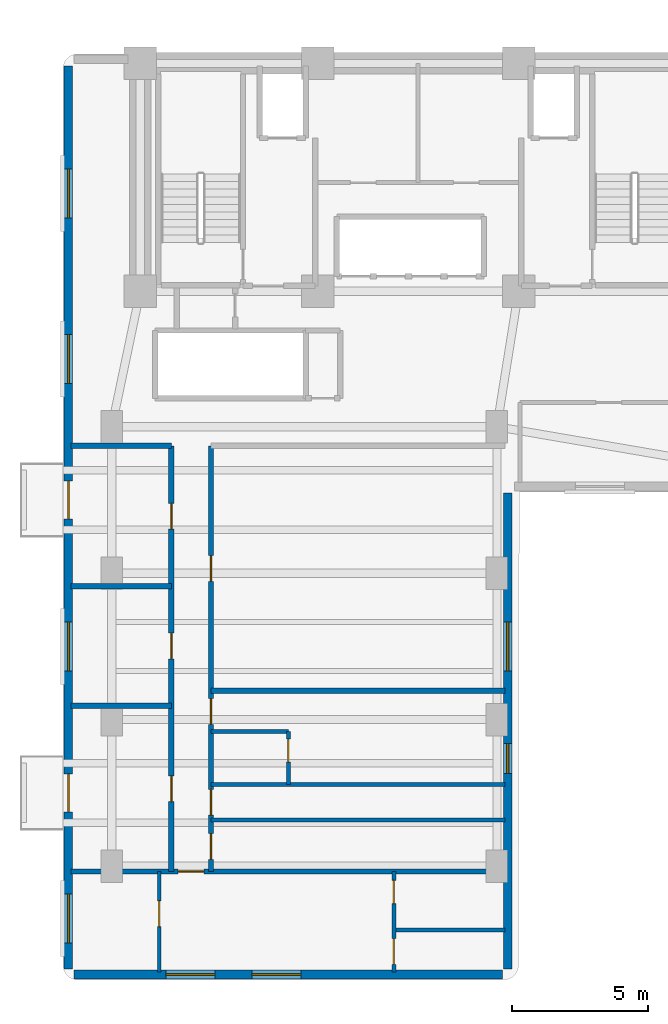
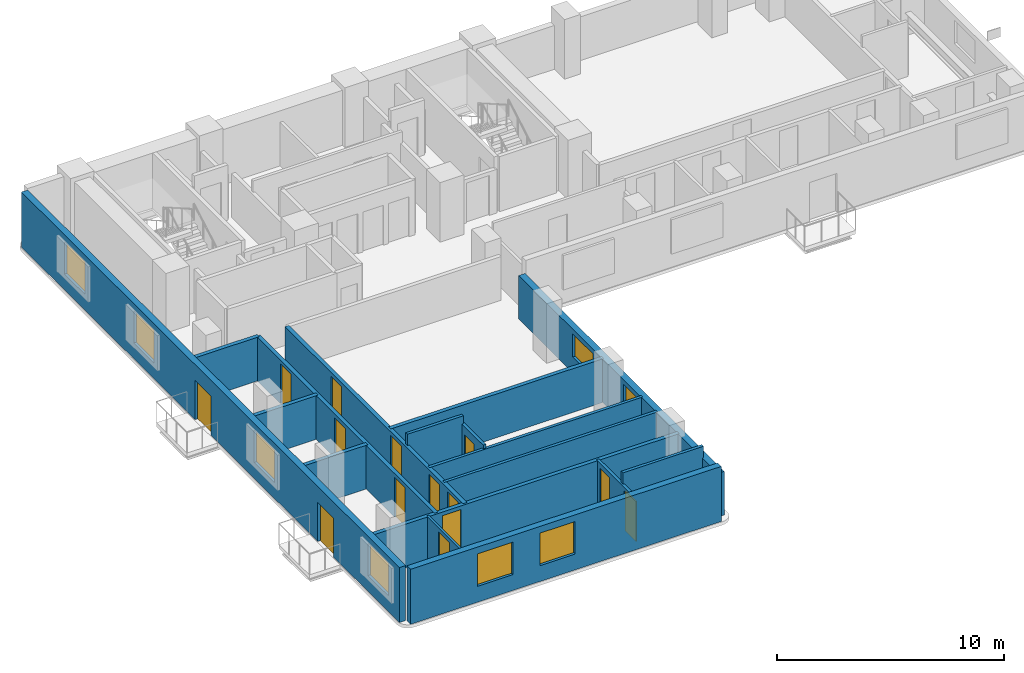
# One storey, part 4 of 11: 17 walls, 14 doors, 8 windows, 22 openings.
"""IFC4 building model written with IfcOpenShell, lengths in metres."""

from ifc_helpers import new_model, si_unit, direction, frame, frame_2d, origin, place, context, subcontext, project, spatial, rectangle, extrude, material, layer, layer_set, type_object, element, fill, save


model = new_model("IFC4")

# Units and contexts
model_context = context("Model", 3, precision=1e-05, world=origin(), true_north=direction((0.0, 1.0)))
body_context = subcontext(model_context, "Body", "Model", "MODEL_VIEW")
ifc_project = project(units=[si_unit("LENGTHUNIT", "METRE"), si_unit("AREAUNIT", "SQUARE_METRE"), si_unit("VOLUMEUNIT", "CUBIC_METRE"), si_unit("PLANEANGLEUNIT", "RADIAN"), si_unit("MASSUNIT", "GRAM", prefix="KILO")], contexts=[model_context])

# Site, building, storey
site_placement = place(None, origin())
site = spatial("IfcSite", under=ifc_project, at=site_placement, CompositionType="ELEMENT")
building_placement = place(site_placement, origin())
building = spatial("IfcBuilding", under=site, at=building_placement, Name="Kuzgunbayir Cultural Tower", CompositionType="ELEMENT")
storey_placement = place(building_placement, frame((0.0, 0.0, 99.39990234375)))
storey = spatial("IfcBuildingStorey", under=building, at=storey_placement, Name="L28", CompositionType="ELEMENT", Elevation=99.39990234375)

# Wall, openings, windows
ifc_material_1 = material(Name="Travertine Buff Ashlar", Category="masonry")
ifc_layer_1 = layer(ifc_material_1, 0.320068359375)
ifc_layer_set_1 = layer_set([ifc_layer_1], Name="Travertine Buff Ashlar")
wall_type_1 = type_object("IfcWallType", Name="WAL-EXT-STONE-320", PredefinedType="STANDARD", material=ifc_layer_set_1)
wall_1_placement = place(storey_placement, frame((4.0, 8.60009765625, 0.0), z_axis=(0.0, 0.0, 1.0), x_axis=(1.0, 0.0, 0.0)))
wall_1 = element("IfcWall", 1, at=wall_1_placement, inside=storey, type_object=wall_type_1, Name="L28 Wing A South Limestone Wall", PredefinedType="STANDARD", context=body_context, shape_type="SweptSolid", body=[
    extrude(rectangle(XDim=15.800048828125, YDim=0.320068359375, at=frame_2d((7.89990234375, 0.0))), origin(), (0.0, 0.0, 1.0), 2.960205078125),
])
opening_1_placement = place(wall_1_placement, frame((6.570068359375, 0.0, 0.85009765625)))
opening_1 = element("IfcOpeningElement", 2, at=opening_1_placement, cuts=wall_1, Name="Opening WH-18", PredefinedType="OPENING", context=body_context, shape_type="SweptSolid", body=[
    extrude(rectangle(XDim=1.800048828125, YDim=1.75, at=frame_2d((0.89990234375, 0.875))), frame((0.0, 0.169921875, 0.0), z_axis=(0.0, -1.0, 0.0), x_axis=(1.0, 0.0, 0.0)), (0.0, 0.0, 1.0), 0.340087890625),
])
opening_2_placement = place(wall_1_placement, frame((3.39990234375, 0.0, 0.85009765625)))
opening_2 = element("IfcOpeningElement", 3, at=opening_2_placement, cuts=wall_1, Name="Opening WH-18", PredefinedType="OPENING", context=body_context, shape_type="SweptSolid", body=[
    extrude(rectangle(XDim=1.800048828125, YDim=1.75, at=frame_2d((0.89990234375, 0.875))), frame((0.0, 0.169921875, 0.0), z_axis=(0.0, -1.0, 0.0), x_axis=(1.0, 0.0, 0.0)), (0.0, 0.0, 1.0), 0.340087890625),
])
ifc_material_2 = material(Name="Solar-Control Triple Glazing", Category="glass")
window_type_1 = type_object("IfcWindowType", Name="WIN-HOTEL-18", PartitioningType="SINGLE_PANEL", PredefinedType="WINDOW", material=ifc_material_2)
window_1_placement = place(opening_1_placement, origin())
window_1 = element("IfcWindow", 4, at=window_1_placement, inside=storey, type_object=window_type_1, Name="L28 WAS Facade Window 2", OverallHeight=1.75, OverallWidth=1.800048828125, PartitioningType="SINGLE_PANEL", PredefinedType="WINDOW", context=body_context, shape_type="SweptSolid", body=[
    extrude(rectangle(XDim=1.800048828125, YDim=1.75, at=frame_2d((0.89990234375, 0.875))), frame((0.0, 0.030029296875, 0.0), z_axis=(0.0, -1.0, 0.0), x_axis=(1.0, 0.0, 0.0)), (0.0, 0.0, 1.0), 0.06005859375),
])
fill(opening_1, window_1)
window_2_placement = place(opening_2_placement, origin())
window_2 = element("IfcWindow", 5, at=window_2_placement, inside=storey, type_object=window_type_1, Name="L28 WAS Facade Window 10", OverallHeight=1.75, OverallWidth=1.800048828125, PartitioningType="SINGLE_PANEL", PredefinedType="WINDOW", context=body_context, shape_type="SweptSolid", body=[
    extrude(rectangle(XDim=1.800048828125, YDim=1.75, at=frame_2d((0.89990234375, 0.875))), frame((0.0, 0.030029296875, 0.0), z_axis=(0.0, -1.0, 0.0), x_axis=(1.0, 0.0, 0.0)), (0.0, 0.0, 1.0), 0.06005859375),
])
fill(opening_2, window_2)

# Wall, openings, doors, windows
wall_2_placement = place(storey_placement, frame((3.800048828125, 42.10009765625, 0.0), z_axis=(0.0, 0.0, 1.0), x_axis=(0.0, -1.0, 0.0)))
wall_2 = element("IfcWall", 6, at=wall_2_placement, inside=storey, type_object=wall_type_1, Name="L28 Wing A West Limestone Wall", PredefinedType="STANDARD", context=body_context, shape_type="SweptSolid", body=[
    extrude(rectangle(XDim=33.300048828125, YDim=0.320068359375, at=frame_2d((16.64990234375, 0.0))), origin(), (0.0, 0.0, 1.0), 2.960205078125),
])
opening_3_placement = place(wall_2_placement, frame((26.10009765625, 0.0, 0.0)))
opening_3 = element("IfcOpeningElement", 7, at=opening_3_placement, cuts=wall_2, Name="Opening BD-15", PredefinedType="OPENING", context=body_context, shape_type="SweptSolid", body=[
    extrude(rectangle(XDim=1.39990234375, YDim=2.10009765625, at=frame_2d((0.699951171875, 1.050048828125))), frame((0.0, 0.169921875, 0.0), z_axis=(0.0, -1.0, 0.0), x_axis=(1.0, 0.0, 0.0)), (0.0, 0.0, 1.0), 0.340087890625),
])
opening_4_placement = place(wall_2_placement, frame((15.300048828125, 0.0, 0.0)))
opening_4 = element("IfcOpeningElement", 8, at=opening_4_placement, cuts=wall_2, Name="Opening BD-15", PredefinedType="OPENING", context=body_context, shape_type="SweptSolid", body=[
    extrude(rectangle(XDim=1.39990234375, YDim=2.10009765625, at=frame_2d((0.699951171875, 1.050048828125))), frame((0.0, 0.169921875, 0.0), z_axis=(0.0, -1.0, 0.0), x_axis=(1.0, 0.0, 0.0)), (0.0, 0.0, 1.0), 0.340087890625),
])
opening_5_placement = place(wall_2_placement, frame((30.530029296875, 0.0, 0.85009765625)))
opening_5 = element("IfcOpeningElement", 9, at=opening_5_placement, cuts=wall_2, Name="Opening WH-18", PredefinedType="OPENING", context=body_context, shape_type="SweptSolid", body=[
    extrude(rectangle(XDim=1.800048828125, YDim=1.75, at=frame_2d((0.89990234375, 0.875))), frame((0.0, 0.169921875, 0.0), z_axis=(0.0, -1.0, 0.0), x_axis=(1.0, 0.0, 0.0)), (0.0, 0.0, 1.0), 0.340087890625),
])
opening_6_placement = place(wall_2_placement, frame((20.5, 0.0, 0.85009765625)))
opening_6 = element("IfcOpeningElement", 10, at=opening_6_placement, cuts=wall_2, Name="Opening WH-18", PredefinedType="OPENING", context=body_context, shape_type="SweptSolid", body=[
    extrude(rectangle(XDim=1.800048828125, YDim=1.75, at=frame_2d((0.89990234375, 0.875))), frame((0.0, 0.169921875, 0.0), z_axis=(0.0, -1.0, 0.0), x_axis=(1.0, 0.0, 0.0)), (0.0, 0.0, 1.0), 0.340087890625),
])
opening_7_placement = place(wall_2_placement, frame((9.89990234375, 0.0, 0.85009765625)))
opening_7 = element("IfcOpeningElement", 11, at=opening_7_placement, cuts=wall_2, Name="Opening WH-18", PredefinedType="OPENING", context=body_context, shape_type="SweptSolid", body=[
    extrude(rectangle(XDim=1.800048828125, YDim=1.75, at=frame_2d((0.89990234375, 0.875))), frame((0.0, 0.169921875, 0.0), z_axis=(0.0, -1.0, 0.0), x_axis=(1.0, 0.0, 0.0)), (0.0, 0.0, 1.0), 0.340087890625),
])
opening_8_placement = place(wall_2_placement, frame((3.800048828125, 0.0, 0.85009765625)))
opening_8 = element("IfcOpeningElement", 12, at=opening_8_placement, cuts=wall_2, Name="Opening WH-18", PredefinedType="OPENING", context=body_context, shape_type="SweptSolid", body=[
    extrude(rectangle(XDim=1.800048828125, YDim=1.75, at=frame_2d((0.89990234375, 0.875))), frame((0.0, 0.169921875, 0.0), z_axis=(0.0, -1.0, 0.0), x_axis=(1.0, 0.0, 0.0)), (0.0, 0.0, 1.0), 0.340087890625),
])
ifc_material_3 = material(Name="Thermally Broken Glazed Aluminium", Category="aluminium")
door_type_1 = type_object("IfcDoorType", Name="DR-BALCONY-150", OperationType="SLIDING_TO_RIGHT", PredefinedType="DOOR", material=ifc_material_3)
door_1_placement = place(opening_3_placement, origin())
door_1 = element("IfcDoor", 13, at=door_1_placement, inside=storey, type_object=door_type_1, Name="L28 West Balcony Sliding Door BAL-L28-WA1", OperationType="SLIDING_TO_RIGHT", OverallHeight=2.10009765625, OverallWidth=1.39990234375, PredefinedType="DOOR", context=body_context, shape_type="SweptSolid", body=[
    extrude(rectangle(XDim=1.39990234375, YDim=2.10009765625, at=frame_2d((0.699951171875, 1.050048828125))), frame((0.0, 0.02490234375, 0.0), z_axis=(0.0, -1.0, 0.0), x_axis=(1.0, 0.0, 0.0)), (0.0, 0.0, 1.0), 0.050048828125),
])
fill(opening_3, door_1)
door_2_placement = place(opening_4_placement, origin())
door_2 = element("IfcDoor", 14, at=door_2_placement, inside=storey, type_object=door_type_1, Name="L28 West Balcony Sliding Door BAL-L28-WA3", OperationType="SLIDING_TO_RIGHT", OverallHeight=2.10009765625, OverallWidth=1.39990234375, PredefinedType="DOOR", context=body_context, shape_type="SweptSolid", body=[
    extrude(rectangle(XDim=1.39990234375, YDim=2.10009765625, at=frame_2d((0.699951171875, 1.050048828125))), frame((0.0, 0.02490234375, 0.0), z_axis=(0.0, -1.0, 0.0), x_axis=(1.0, 0.0, 0.0)), (0.0, 0.0, 1.0), 0.050048828125),
])
fill(opening_4, door_2)
window_3_placement = place(opening_5_placement, origin())
window_3 = element("IfcWindow", 15, at=window_3_placement, inside=storey, type_object=window_type_1, Name="L28 WAW Facade Window 1", OverallHeight=1.75, OverallWidth=1.800048828125, PartitioningType="SINGLE_PANEL", PredefinedType="WINDOW", context=body_context, shape_type="SweptSolid", body=[
    extrude(rectangle(XDim=1.800048828125, YDim=1.75, at=frame_2d((0.89990234375, 0.875))), frame((0.0, 0.030029296875, 0.0), z_axis=(0.0, -1.0, 0.0), x_axis=(1.0, 0.0, 0.0)), (0.0, 0.0, 1.0), 0.06005859375),
])
fill(opening_5, window_3)
window_4_placement = place(opening_6_placement, origin())
window_4 = element("IfcWindow", 16, at=window_4_placement, inside=storey, type_object=window_type_1, Name="L28 WAW Facade Window 6", OverallHeight=1.75, OverallWidth=1.800048828125, PartitioningType="SINGLE_PANEL", PredefinedType="WINDOW", context=body_context, shape_type="SweptSolid", body=[
    extrude(rectangle(XDim=1.800048828125, YDim=1.75, at=frame_2d((0.89990234375, 0.875))), frame((0.0, 0.030029296875, 0.0), z_axis=(0.0, -1.0, 0.0), x_axis=(1.0, 0.0, 0.0)), (0.0, 0.0, 1.0), 0.06005859375),
])
fill(opening_6, window_4)
window_5_placement = place(opening_7_placement, origin())
window_5 = element("IfcWindow", 17, at=window_5_placement, inside=storey, type_object=window_type_1, Name="L28 WAW Facade Window 7", OverallHeight=1.75, OverallWidth=1.800048828125, PartitioningType="SINGLE_PANEL", PredefinedType="WINDOW", context=body_context, shape_type="SweptSolid", body=[
    extrude(rectangle(XDim=1.800048828125, YDim=1.75, at=frame_2d((0.89990234375, 0.875))), frame((0.0, 0.030029296875, 0.0), z_axis=(0.0, -1.0, 0.0), x_axis=(1.0, 0.0, 0.0)), (0.0, 0.0, 1.0), 0.06005859375),
])
fill(opening_7, window_5)
window_6_placement = place(opening_8_placement, origin())
window_6 = element("IfcWindow", 18, at=window_6_placement, inside=storey, type_object=window_type_1, Name="L28 WAW Facade Window 8", OverallHeight=1.75, OverallWidth=1.800048828125, PartitioningType="SINGLE_PANEL", PredefinedType="WINDOW", context=body_context, shape_type="SweptSolid", body=[
    extrude(rectangle(XDim=1.800048828125, YDim=1.75, at=frame_2d((0.89990234375, 0.875))), frame((0.0, 0.030029296875, 0.0), z_axis=(0.0, -1.0, 0.0), x_axis=(1.0, 0.0, 0.0)), (0.0, 0.0, 1.0), 0.06005859375),
])
fill(opening_8, window_6)

# Wall, openings, windows
wall_3_placement = place(storey_placement, frame((20.0, 8.800048828125, 0.0), z_axis=(0.0, 0.0, 1.0), x_axis=(0.0, 1.0, 0.0)))
wall_3 = element("IfcWall", 19, at=wall_3_placement, inside=storey, type_object=wall_type_1, Name="L28 Wing A East Limestone Wall", PredefinedType="STANDARD", context=body_context, shape_type="SweptSolid", body=[
    extrude(rectangle(XDim=17.550048828125, YDim=0.320068359375, at=frame_2d((8.77490234375, 0.0))), origin(), (0.0, 0.0, 1.0), 2.35009765625),
])
opening_9_placement = place(wall_3_placement, frame((7.219970703125, 0.0, 0.85009765625)))
opening_9 = element("IfcOpeningElement", 20, at=opening_9_placement, cuts=wall_3, Name="Opening WN-11", PredefinedType="OPENING", context=body_context, shape_type="SweptSolid", body=[
    extrude(rectangle(XDim=1.10009765625, YDim=1.25, at=frame_2d((0.550048828125, 0.625))), frame((0.0, 0.169921875, 0.0), z_axis=(0.0, -1.0, 0.0), x_axis=(1.0, 0.0, 0.0)), (0.0, 0.0, 1.0), 0.340087890625),
])
opening_10_placement = place(wall_3_placement, frame((11.0, 0.0, 0.85009765625)))
opening_10 = element("IfcOpeningElement", 21, at=opening_10_placement, cuts=wall_3, Name="Opening WH-18", PredefinedType="OPENING", context=body_context, shape_type="SweptSolid", body=[
    extrude(rectangle(XDim=1.800048828125, YDim=1.25, at=frame_2d((0.89990234375, 0.625))), frame((0.0, 0.169921875, 0.0), z_axis=(0.0, -1.0, 0.0), x_axis=(1.0, 0.0, 0.0)), (0.0, 0.0, 1.0), 0.340087890625),
])
window_7_placement = place(opening_10_placement, origin())
window_7 = element("IfcWindow", 22, at=window_7_placement, inside=storey, type_object=window_type_1, Name="L28 WAE Facade Window 9", OverallHeight=1.25, OverallWidth=1.800048828125, PartitioningType="SINGLE_PANEL", PredefinedType="WINDOW", context=body_context, shape_type="SweptSolid", body=[
    extrude(rectangle(XDim=1.800048828125, YDim=1.25, at=frame_2d((0.89990234375, 0.625))), frame((0.0, 0.030029296875, 0.0), z_axis=(0.0, -1.0, 0.0), x_axis=(1.0, 0.0, 0.0)), (0.0, 0.0, 1.0), 0.06005859375),
])
fill(opening_10, window_7)
window_type_2 = type_object("IfcWindowType", Name="WIN-NARROW-11", PartitioningType="SINGLE_PANEL", PredefinedType="WINDOW", material=ifc_material_2)
window_8_placement = place(opening_9_placement, origin())
window_8 = element("IfcWindow", 23, at=window_8_placement, inside=storey, type_object=window_type_2, Name="L28 WAE Facade Window 3", OverallHeight=1.25, OverallWidth=1.10009765625, PartitioningType="SINGLE_PANEL", PredefinedType="WINDOW", context=body_context, shape_type="SweptSolid", body=[
    extrude(rectangle(XDim=1.10009765625, YDim=1.25, at=frame_2d((0.550048828125, 0.625))), frame((0.0, 0.030029296875, 0.0), z_axis=(0.0, -1.0, 0.0), x_axis=(1.0, 0.0, 0.0)), (0.0, 0.0, 1.0), 0.06005859375),
])
fill(opening_9, window_8)

# Wall
ifc_material_4 = material(Name="Acoustic Double-Stud Drywall", Category="gypsum")
ifc_layer_2 = layer(ifc_material_4, 0.14990234375)
ifc_layer_set_2 = layer_set([ifc_layer_2], Name="Acoustic Double-Stud Drywall")
wall_type_2 = type_object("IfcWallType", Name="WAL-PART-ACOUSTIC-150", PredefinedType="PARTITIONING", material=ifc_layer_set_2)
wall_4_placement = place(storey_placement, frame((9.06005859375, 14.300048828125, 0.0), z_axis=(0.0, 0.0, 1.0), x_axis=(1.0, 0.0, 0.0)))
element("IfcWall", 24, at=wall_4_placement, inside=storey, type_object=wall_type_2, Name="L28 Housekeeping North Wall", PredefinedType="PARTITIONING", context=body_context, shape_type="SweptSolid", body=[
    extrude(rectangle(XDim=10.83984375, YDim=0.14990234375, at=frame_2d((5.419921875, 0.0))), origin(), (0.0, 0.0, 1.0), 2.35009765625),
])

# Wall, openings, doors
ifc_material_5 = material(Name="Aerated Concrete Blockwork", Category="masonry")
ifc_layer_3 = layer(ifc_material_5, 0.199951171875)
ifc_layer_set_3 = layer_set([ifc_layer_3], Name="Aerated Concrete Blockwork")
wall_type_3 = type_object("IfcWallType", Name="WAL-PART-FIRE-200", PredefinedType="PARTITIONING", material=ifc_layer_set_3)
wall_5_placement = place(storey_placement, frame((7.60009765625, 12.39990234375, 0.0), z_axis=(0.0, 0.0, 1.0), x_axis=(0.0, 1.0, 0.0)))
wall_5 = element("IfcWall", 25, at=wall_5_placement, inside=storey, type_object=wall_type_3, Name="L28 Wing A West Corridor Wall", PredefinedType="PARTITIONING", context=body_context, shape_type="SweptSolid", body=[
    extrude(rectangle(XDim=15.7001953125, YDim=0.199951171875, at=frame_2d((7.85009765625, 0.0))), origin(), (0.0, 0.0, 1.0), 2.35009765625),
])
opening_11_placement = place(wall_5_placement, frame((2.580078125, 0.0, 0.0)))
opening_11 = element("IfcOpeningElement", 26, at=opening_11_placement, cuts=wall_5, Name="Opening DI-90", PredefinedType="OPENING", context=body_context, shape_type="SweptSolid", body=[
    extrude(rectangle(XDim=0.949951171875, YDim=2.14990234375, at=frame_2d((0.47509765625, 1.074951171875))), frame((0.0, 0.10986328125, 0.0), z_axis=(0.0, -1.0, 0.0), x_axis=(1.0, 0.0, 0.0)), (0.0, 0.0, 1.0), 0.219970703125),
])
opening_12_placement = place(wall_5_placement, frame((7.840087890625, 0.0, 0.0)))
opening_12 = element("IfcOpeningElement", 27, at=opening_12_placement, cuts=wall_5, Name="Opening DI-90", PredefinedType="OPENING", context=body_context, shape_type="SweptSolid", body=[
    extrude(rectangle(XDim=0.949951171875, YDim=2.14990234375, at=frame_2d((0.47509765625, 1.074951171875))), frame((0.0, 0.10986328125, 0.0), z_axis=(0.0, -1.0, 0.0), x_axis=(1.0, 0.0, 0.0)), (0.0, 0.0, 1.0), 0.219970703125),
])
opening_13_placement = place(wall_5_placement, frame((12.6298828125, 0.0, 0.0)))
opening_13 = element("IfcOpeningElement", 28, at=opening_13_placement, cuts=wall_5, Name="Opening DI-90", PredefinedType="OPENING", context=body_context, shape_type="SweptSolid", body=[
    extrude(rectangle(XDim=0.949951171875, YDim=2.14990234375, at=frame_2d((0.47509765625, 1.074951171875))), frame((0.0, 0.10986328125, 0.0), z_axis=(0.0, -1.0, 0.0), x_axis=(1.0, 0.0, 0.0)), (0.0, 0.0, 1.0), 0.219970703125),
])
ifc_material_6 = material(Name="Veneered Oak Single Leaf", Category="wood")
door_type_2 = type_object("IfcDoorType", Name="DR-INT-90", OperationType="NOTDEFINED", PredefinedType="DOOR", material=ifc_material_6)
door_3_placement = place(opening_11_placement, origin())
door_3 = element("IfcDoor", 29, at=door_3_placement, inside=storey, type_object=door_type_2, Name="L28 Culinary Tasting Pantry 1 Door", OperationType="SINGLE_SWING_LEFT", OverallHeight=2.14990234375, OverallWidth=0.949951171875, PredefinedType="DOOR", context=body_context, shape_type="SweptSolid", body=[
    extrude(rectangle(XDim=0.949951171875, YDim=2.14990234375, at=frame_2d((0.47509765625, 1.074951171875))), frame((0.0, 0.02490234375, 0.0), z_axis=(0.0, -1.0, 0.0), x_axis=(1.0, 0.0, 0.0)), (0.0, 0.0, 1.0), 0.050048828125),
])
fill(opening_11, door_3)
door_4_placement = place(opening_12_placement, origin())
door_4 = element("IfcDoor", 30, at=door_4_placement, inside=storey, type_object=door_type_2, Name="L28 Culinary Tasting Pantry 2 Door", OperationType="SINGLE_SWING_RIGHT", OverallHeight=2.14990234375, OverallWidth=0.949951171875, PredefinedType="DOOR", context=body_context, shape_type="SweptSolid", body=[
    extrude(rectangle(XDim=0.949951171875, YDim=2.14990234375, at=frame_2d((0.47509765625, 1.074951171875))), frame((0.0, 0.02490234375, 0.0), z_axis=(0.0, -1.0, 0.0), x_axis=(1.0, 0.0, 0.0)), (0.0, 0.0, 1.0), 0.050048828125),
])
fill(opening_12, door_4)
door_5_placement = place(opening_13_placement, origin())
door_5 = element("IfcDoor", 31, at=door_5_placement, inside=storey, type_object=door_type_2, Name="L28 Culinary Tasting Pantry 3 Door", OperationType="SINGLE_SWING_LEFT", OverallHeight=2.14990234375, OverallWidth=0.949951171875, PredefinedType="DOOR", context=body_context, shape_type="SweptSolid", body=[
    extrude(rectangle(XDim=0.949951171875, YDim=2.14990234375, at=frame_2d((0.47509765625, 1.074951171875))), frame((0.0, 0.02490234375, 0.0), z_axis=(0.0, -1.0, 0.0), x_axis=(1.0, 0.0, 0.0)), (0.0, 0.0, 1.0), 0.050048828125),
])
fill(opening_13, door_5)

wall_6_placement = place(storey_placement, frame((9.06005859375, 12.39990234375, 0.0), z_axis=(0.0, 0.0, 1.0), x_axis=(0.0, 1.0, 0.0)))
wall_6 = element("IfcWall", 32, at=wall_6_placement, inside=storey, type_object=wall_type_3, Name="L28 Wing A East Corridor Wall", PredefinedType="PARTITIONING", context=body_context, shape_type="SweptSolid", body=[
    extrude(rectangle(XDim=15.7001953125, YDim=0.199951171875, at=frame_2d((7.85009765625, 0.0))), origin(), (0.0, 0.0, 1.0), 2.35009765625),
])
opening_14_placement = place(wall_6_placement, frame((0.449951171875, 0.0, 0.0)))
opening_14 = element("IfcOpeningElement", 33, at=opening_14_placement, cuts=wall_6, Name="Opening DI-90", PredefinedType="OPENING", context=body_context, shape_type="SweptSolid", body=[
    extrude(rectangle(XDim=0.949951171875, YDim=2.14990234375, at=frame_2d((0.47509765625, 1.074951171875))), frame((0.0, 0.10986328125, 0.0), z_axis=(0.0, -1.0, 0.0), x_axis=(1.0, 0.0, 0.0)), (0.0, 0.0, 1.0), 0.219970703125),
])
opening_15_placement = place(wall_6_placement, frame((2.080078125, 0.0, 0.0)))
opening_15 = element("IfcOpeningElement", 34, at=opening_15_placement, cuts=wall_6, Name="Opening DW-95", PredefinedType="OPENING", context=body_context, shape_type="SweptSolid", body=[
    extrude(rectangle(XDim=0.949951171875, YDim=2.10009765625, at=frame_2d((0.47509765625, 1.050048828125))), frame((0.0, 0.10986328125, 0.0), z_axis=(0.0, -1.0, 0.0), x_axis=(1.0, 0.0, 0.0)), (0.0, 0.0, 1.0), 0.219970703125),
])
opening_16_placement = place(wall_6_placement, frame((10.699951171875, 0.0, 0.0)))
opening_16 = element("IfcOpeningElement", 35, at=opening_16_placement, cuts=wall_6, Name="Opening DI-90", PredefinedType="OPENING", context=body_context, shape_type="SweptSolid", body=[
    extrude(rectangle(XDim=0.949951171875, YDim=2.14990234375, at=frame_2d((0.47509765625, 1.074951171875))), frame((0.0, 0.10986328125, 0.0), z_axis=(0.0, -1.0, 0.0), x_axis=(1.0, 0.0, 0.0)), (0.0, 0.0, 1.0), 0.219970703125),
])
opening_17_placement = place(wall_6_placement, frame((5.429931640625, 0.0, 0.0)))
opening_17 = element("IfcOpeningElement", 36, at=opening_17_placement, cuts=wall_6, Name="Opening DR-APT-60", PredefinedType="OPENING", context=body_context, shape_type="SweptSolid", body=[
    extrude(rectangle(XDim=0.949951171875, YDim=2.14990234375, at=frame_2d((0.47509765625, 1.074951171875))), frame((0.0, 0.10986328125, 0.0), z_axis=(0.0, -1.0, 0.0), x_axis=(1.0, 0.0, 0.0)), (0.0, 0.0, 1.0), 0.219970703125),
])
ifc_material_7 = material(Name="Acoustic Fire Timber Leaf", Category="wood")
door_type_3 = type_object("IfcDoorType", Name="DR-APT-60", OperationType="NOTDEFINED", PredefinedType="DOOR", material=ifc_material_7)
door_6_placement = place(opening_17_placement, origin())
door_6 = element("IfcDoor", 37, at=door_6_placement, inside=storey, type_object=door_type_3, Name="L28 Guest Suite E1 Entrance", OperationType="SINGLE_SWING_RIGHT", OverallHeight=2.14990234375, OverallWidth=0.949951171875, PredefinedType="DOOR", context=body_context, shape_type="SweptSolid", body=[
    extrude(rectangle(XDim=0.949951171875, YDim=2.14990234375, at=frame_2d((0.47509765625, 1.074951171875))), frame((0.0, 0.02490234375, 0.0), z_axis=(0.0, -1.0, 0.0), x_axis=(1.0, 0.0, 0.0)), (0.0, 0.0, 1.0), 0.050048828125),
])
fill(opening_17, door_6)
door_7_placement = place(opening_14_placement, origin())
door_7 = element("IfcDoor", 38, at=door_7_placement, inside=storey, type_object=door_type_2, Name="L28 Housekeeping Room Door", OperationType="SINGLE_SWING_RIGHT", OverallHeight=2.14990234375, OverallWidth=0.949951171875, PredefinedType="DOOR", context=body_context, shape_type="SweptSolid", body=[
    extrude(rectangle(XDim=0.949951171875, YDim=2.14990234375, at=frame_2d((0.47509765625, 1.074951171875))), frame((0.0, 0.02490234375, 0.0), z_axis=(0.0, -1.0, 0.0), x_axis=(1.0, 0.0, 0.0)), (0.0, 0.0, 1.0), 0.050048828125),
])
fill(opening_14, door_7)
door_8_placement = place(opening_16_placement, origin())
door_8 = element("IfcDoor", 39, at=door_8_placement, inside=storey, type_object=door_type_2, Name="L28 Culinary Tasting Pantry E1 Door", OperationType="SINGLE_SWING_RIGHT", OverallHeight=2.14990234375, OverallWidth=0.949951171875, PredefinedType="DOOR", context=body_context, shape_type="SweptSolid", body=[
    extrude(rectangle(XDim=0.949951171875, YDim=2.14990234375, at=frame_2d((0.47509765625, 1.074951171875))), frame((0.0, 0.02490234375, 0.0), z_axis=(0.0, -1.0, 0.0), x_axis=(1.0, 0.0, 0.0)), (0.0, 0.0, 1.0), 0.050048828125),
])
fill(opening_16, door_8)
ifc_material_8 = material(Name="Laminate Moisture-Resistant Leaf", Category="wood")
door_type_4 = type_object("IfcDoorType", Name="DR-WET-95", OperationType="NOTDEFINED", PredefinedType="DOOR", material=ifc_material_8)
door_9_placement = place(opening_15_placement, origin())
door_9 = element("IfcDoor", 40, at=door_9_placement, inside=storey, type_object=door_type_4, Name="L28 Accessible WC Door", OperationType="SINGLE_SWING_LEFT", OverallHeight=2.10009765625, OverallWidth=0.949951171875, PredefinedType="DOOR", context=body_context, shape_type="SweptSolid", body=[
    extrude(rectangle(XDim=0.949951171875, YDim=2.10009765625, at=frame_2d((0.47509765625, 1.050048828125))), frame((0.0, 0.02490234375, 0.0), z_axis=(0.0, -1.0, 0.0), x_axis=(1.0, 0.0, 0.0)), (0.0, 0.0, 1.0), 0.050048828125),
])
fill(opening_15, door_9)

# Wall, opening, door
wall_7_placement = place(storey_placement, frame((3.89990234375, 12.39990234375, 0.0), z_axis=(0.0, 0.0, 1.0), x_axis=(1.0, 0.0, 0.0)))
wall_7 = element("IfcWall", 41, at=wall_7_placement, inside=storey, type_object=wall_type_3, Name="L28 South Cross Partition", PredefinedType="PARTITIONING", context=body_context, shape_type="SweptSolid", body=[
    extrude(rectangle(XDim=16.0, YDim=0.199951171875, at=frame_2d((8.0, 0.0))), origin(), (0.0, 0.0, 1.0), 2.35009765625),
])
opening_18_placement = place(wall_7_placement, frame((3.949951171875, 0.0, 0.0)))
opening_18 = element("IfcOpeningElement", 42, at=opening_18_placement, cuts=wall_7, Name="Opening DR-APT-60", PredefinedType="OPENING", context=body_context, shape_type="SweptSolid", body=[
    extrude(rectangle(XDim=0.949951171875, YDim=2.14990234375, at=frame_2d((0.47509765625, 1.074951171875))), frame((0.0, 0.10986328125, 0.0), z_axis=(0.0, -1.0, 0.0), x_axis=(1.0, 0.0, 0.0)), (0.0, 0.0, 1.0), 0.219970703125),
])
door_10_placement = place(opening_18_placement, origin())
door_10 = element("IfcDoor", 43, at=door_10_placement, inside=storey, type_object=door_type_3, Name="L28 Diplomatic Suite Entrance", OperationType="SINGLE_SWING_RIGHT", OverallHeight=2.14990234375, OverallWidth=0.949951171875, PredefinedType="DOOR", context=body_context, shape_type="SweptSolid", body=[
    extrude(rectangle(XDim=0.949951171875, YDim=2.14990234375, at=frame_2d((0.47509765625, 1.074951171875))), frame((0.0, 0.02490234375, 0.0), z_axis=(0.0, -1.0, 0.0), x_axis=(1.0, 0.0, 0.0)), (0.0, 0.0, 1.0), 0.050048828125),
])
fill(opening_18, door_10)

# Walls
for number, where, z_axis, x_axis, name in (
    (44, (3.89990234375, 28.10009765625, 0.0), (0.0, 0.0, 1.0), (1.0, 0.0, 0.0), "L28 North West Partition"),
    (45, (3.89990234375, 18.52001953125, 0.0), (0.0, 0.0, 1.0), (1.0, 0.0, 0.0), "L28 West Party Wall 1"),
    (46, (3.89990234375, 22.919921875, 0.0), (0.0, 0.0, 1.0), (1.0, 0.0, 0.0), "L28 West Party Wall 2"),
):
    element("IfcWall", number, at=place(storey_placement, frame(where, z_axis=z_axis, x_axis=x_axis)), inside=storey, type_object=wall_type_3, Name=name, PredefinedType="PARTITIONING", context=body_context, shape_type="SweptSolid", body=[
        extrude(rectangle(XDim=3.7001953125, YDim=0.199951171875, at=frame_2d((1.85009765625, 0.0))), origin(), (0.0, 0.0, 1.0), 2.35009765625),
    ])
wall_8_placement = place(storey_placement, frame((9.06005859375, 19.06005859375, 0.0), z_axis=(0.0, 0.0, 1.0), x_axis=(1.0, 0.0, 0.0)))
element("IfcWall", 47, at=wall_8_placement, inside=storey, type_object=wall_type_3, Name="L28 Suite E1 Sub-Party Wall", PredefinedType="PARTITIONING", context=body_context, shape_type="SweptSolid", body=[
    extrude(rectangle(XDim=10.83984375, YDim=0.199951171875, at=frame_2d((5.419921875, 0.0))), origin(), (0.0, 0.0, 1.0), 2.35009765625),
])

# Wall, opening, door
ifc_material_9 = material(Name="Framed Gypsum Partition", Category="gypsum")
ifc_layer_4 = layer(ifc_material_9, 0.1201171875)
ifc_layer_set_4 = layer_set([ifc_layer_4], Name="Framed Gypsum Partition")
wall_type_4 = type_object("IfcWallType", Name="WAL-PART-INT-120", PredefinedType="PARTITIONING", material=ifc_layer_set_4)
wall_9_placement = place(storey_placement, frame((7.14990234375, 8.699951171875, 0.0), z_axis=(0.0, 0.0, 1.0), x_axis=(0.0, 1.0, 0.0)))
wall_9 = element("IfcWall", 48, at=wall_9_placement, inside=storey, type_object=wall_type_4, Name="L28 Diplomatic Suite Bedroom Wall", PredefinedType="PARTITIONING", context=body_context, shape_type="SweptSolid", body=[
    extrude(rectangle(XDim=3.699951171875, YDim=0.1201171875, at=frame_2d((1.85009765625, 0.0))), origin(), (0.0, 0.0, 1.0), 2.35009765625),
])
opening_19_placement = place(wall_9_placement, frame((1.669921875, 0.0, 0.0)))
opening_19 = element("IfcOpeningElement", 49, at=opening_19_placement, cuts=wall_9, Name="Opening DI-90", PredefinedType="OPENING", context=body_context, shape_type="SweptSolid", body=[
    extrude(rectangle(XDim=0.949951171875, YDim=2.14990234375, at=frame_2d((0.47509765625, 1.074951171875))), frame((0.0, 0.070068359375, 0.0), z_axis=(0.0, -1.0, 0.0), x_axis=(1.0, 0.0, 0.0)), (0.0, 0.0, 1.0), 0.14013671875),
])
door_11_placement = place(opening_19_placement, origin())
door_11 = element("IfcDoor", 50, at=door_11_placement, inside=storey, type_object=door_type_2, Name="L28 Diplomatic Bedroom Door", OperationType="SINGLE_SWING_LEFT", OverallHeight=2.14990234375, OverallWidth=0.949951171875, PredefinedType="DOOR", context=body_context, shape_type="SweptSolid", body=[
    extrude(rectangle(XDim=0.949951171875, YDim=2.14990234375, at=frame_2d((0.47509765625, 1.074951171875))), frame((0.0, 0.02490234375, 0.0), z_axis=(0.0, -1.0, 0.0), x_axis=(1.0, 0.0, 0.0)), (0.0, 0.0, 1.0), 0.050048828125),
])
fill(opening_19, door_11)

# Wall, openings, doors
ifc_material_10 = material(Name="Moisture-Resistant Tile Partition", Category="gypsum")
ifc_layer_5 = layer(ifc_material_10, 0.14990234375)
ifc_layer_set_5 = layer_set([ifc_layer_5], Name="Moisture-Resistant Tile Partition")
wall_type_5 = type_object("IfcWallType", Name="WAL-PART-WET-150", PredefinedType="PARTITIONING", material=ifc_layer_set_5)
wall_10_placement = place(storey_placement, frame((15.800048828125, 8.699951171875, 0.0), z_axis=(0.0, 0.0, 1.0), x_axis=(0.0, 1.0, 0.0)))
wall_10 = element("IfcWall", 51, at=wall_10_placement, inside=storey, type_object=wall_type_5, Name="L28 Diplomatic Suite Service Wall", PredefinedType="PARTITIONING", context=body_context, shape_type="SweptSolid", body=[
    extrude(rectangle(XDim=3.699951171875, YDim=0.14990234375, at=frame_2d((1.85009765625, 0.0))), origin(), (0.0, 0.0, 1.0), 2.35009765625),
])
opening_20_placement = place(wall_10_placement, frame((0.280029296875, 0.0, 0.0)))
opening_20 = element("IfcOpeningElement", 52, at=opening_20_placement, cuts=wall_10, Name="Opening DI-90", PredefinedType="OPENING", context=body_context, shape_type="SweptSolid", body=[
    extrude(rectangle(XDim=0.949951171875, YDim=2.14990234375, at=frame_2d((0.47509765625, 1.074951171875))), frame((0.0, 0.0849609375, 0.0), z_axis=(0.0, -1.0, 0.0), x_axis=(1.0, 0.0, 0.0)), (0.0, 0.0, 1.0), 0.169921875),
])
opening_21_placement = place(wall_10_placement, frame((2.52001953125, 0.0, 0.0)))
opening_21 = element("IfcOpeningElement", 53, at=opening_21_placement, cuts=wall_10, Name="Opening DW-85", PredefinedType="OPENING", context=body_context, shape_type="SweptSolid", body=[
    extrude(rectangle(XDim=0.85009765625, YDim=2.10009765625, at=frame_2d((0.425048828125, 1.050048828125))), frame((0.0, 0.0849609375, 0.0), z_axis=(0.0, -1.0, 0.0), x_axis=(1.0, 0.0, 0.0)), (0.0, 0.0, 1.0), 0.169921875),
])
door_12_placement = place(opening_20_placement, origin())
door_12 = element("IfcDoor", 54, at=door_12_placement, inside=storey, type_object=door_type_2, Name="L28 Diplomatic Kitchen Door", OperationType="SINGLE_SWING_RIGHT", OverallHeight=2.14990234375, OverallWidth=0.949951171875, PredefinedType="DOOR", context=body_context, shape_type="SweptSolid", body=[
    extrude(rectangle(XDim=0.949951171875, YDim=2.14990234375, at=frame_2d((0.47509765625, 1.074951171875))), frame((0.0, 0.02490234375, 0.0), z_axis=(0.0, -1.0, 0.0), x_axis=(1.0, 0.0, 0.0)), (0.0, 0.0, 1.0), 0.050048828125),
])
fill(opening_20, door_12)
door_type_5 = type_object("IfcDoorType", Name="DR-WET-85", OperationType="NOTDEFINED", PredefinedType="DOOR", material=ifc_material_8)
door_13_placement = place(opening_21_placement, origin())
door_13 = element("IfcDoor", 55, at=door_13_placement, inside=storey, type_object=door_type_5, Name="L28 Diplomatic Bathroom Door", OperationType="SINGLE_SWING_LEFT", OverallHeight=2.10009765625, OverallWidth=0.85009765625, PredefinedType="DOOR", context=body_context, shape_type="SweptSolid", body=[
    extrude(rectangle(XDim=0.85009765625, YDim=2.10009765625, at=frame_2d((0.425048828125, 1.050048828125))), frame((0.0, 0.02490234375, 0.0), z_axis=(0.0, -1.0, 0.0), x_axis=(1.0, 0.0, 0.0)), (0.0, 0.0, 1.0), 0.050048828125),
])
fill(opening_21, door_13)

# Walls
wall_11_placement = place(storey_placement, frame((15.800048828125, 10.25, 0.0), z_axis=(0.0, 0.0, 1.0), x_axis=(1.0, 0.0, 0.0)))
element("IfcWall", 56, at=wall_11_placement, inside=storey, type_object=wall_type_5, Name="L28 Diplomatic Suite Bath Kitchen Divider", PredefinedType="PARTITIONING", context=body_context, shape_type="SweptSolid", body=[
    extrude(rectangle(XDim=4.099853515625, YDim=0.14990234375, at=frame_2d((2.0498046875, 0.0))), origin(), (0.0, 0.0, 1.0), 2.960205078125),
])
wall_12_placement = place(storey_placement, frame((9.06005859375, 15.610107421875, 0.0), z_axis=(0.0, 0.0, 1.0), x_axis=(1.0, 0.0, 0.0)))
element("IfcWall", 57, at=wall_12_placement, inside=storey, type_object=wall_type_5, Name="L28 Accessible WC North Wall", PredefinedType="PARTITIONING", context=body_context, shape_type="SweptSolid", body=[
    extrude(rectangle(XDim=10.83984375, YDim=0.14990234375, at=frame_2d((5.419921875, 0.0))), origin(), (0.0, 0.0, 1.0), 2.35009765625),
])
wall_13_placement = place(storey_placement, frame((9.06005859375, 17.56005859375, 0.0), z_axis=(0.0, 0.0, 1.0), x_axis=(1.0, 0.0, 0.0)))
element("IfcWall", 58, at=wall_13_placement, inside=storey, type_object=wall_type_5, Name="L28 Suite E1 En-Suite North Wall", PredefinedType="PARTITIONING", context=body_context, shape_type="SweptSolid", body=[
    extrude(rectangle(XDim=2.849853515625, YDim=0.14990234375, at=frame_2d((1.4248046875, 0.0))), origin(), (0.0, 0.0, 1.0), 2.960205078125),
])

# Wall, opening, door
wall_14_placement = place(storey_placement, frame((11.909912109375, 15.610107421875, 0.0), z_axis=(0.0, 0.0, 1.0), x_axis=(0.0, 1.0, 0.0)))
wall_14 = element("IfcWall", 59, at=wall_14_placement, inside=storey, type_object=wall_type_5, Name="L28 Suite E1 En-Suite East Wall", PredefinedType="PARTITIONING", context=body_context, shape_type="SweptSolid", body=[
    extrude(rectangle(XDim=1.949951171875, YDim=0.14990234375, at=frame_2d((0.97509765625, 0.0))), origin(), (0.0, 0.0, 1.0), 2.5400390625),
])
opening_22_placement = place(wall_14_placement, frame((0.820068359375, 0.0, 0.0)))
opening_22 = element("IfcOpeningElement", 60, at=opening_22_placement, cuts=wall_14, Name="Opening DW-85", PredefinedType="OPENING", context=body_context, shape_type="SweptSolid", body=[
    extrude(rectangle(XDim=0.85009765625, YDim=2.10009765625, at=frame_2d((0.425048828125, 1.050048828125))), frame((0.0, 0.0849609375, 0.0), z_axis=(0.0, -1.0, 0.0), x_axis=(1.0, 0.0, 0.0)), (0.0, 0.0, 1.0), 0.169921875),
])
door_14_placement = place(opening_22_placement, origin())
door_14 = element("IfcDoor", 61, at=door_14_placement, inside=storey, type_object=door_type_5, Name="L28 Suite E1 En-Suite Door", OperationType="SINGLE_SWING_LEFT", OverallHeight=2.10009765625, OverallWidth=0.85009765625, PredefinedType="DOOR", context=body_context, shape_type="SweptSolid", body=[
    extrude(rectangle(XDim=0.85009765625, YDim=2.10009765625, at=frame_2d((0.425048828125, 1.050048828125))), frame((0.0, 0.02490234375, 0.0), z_axis=(0.0, -1.0, 0.0), x_axis=(1.0, 0.0, 0.0)), (0.0, 0.0, 1.0), 0.050048828125),
])
fill(opening_22, door_14)

save(model, "model.ifc")
